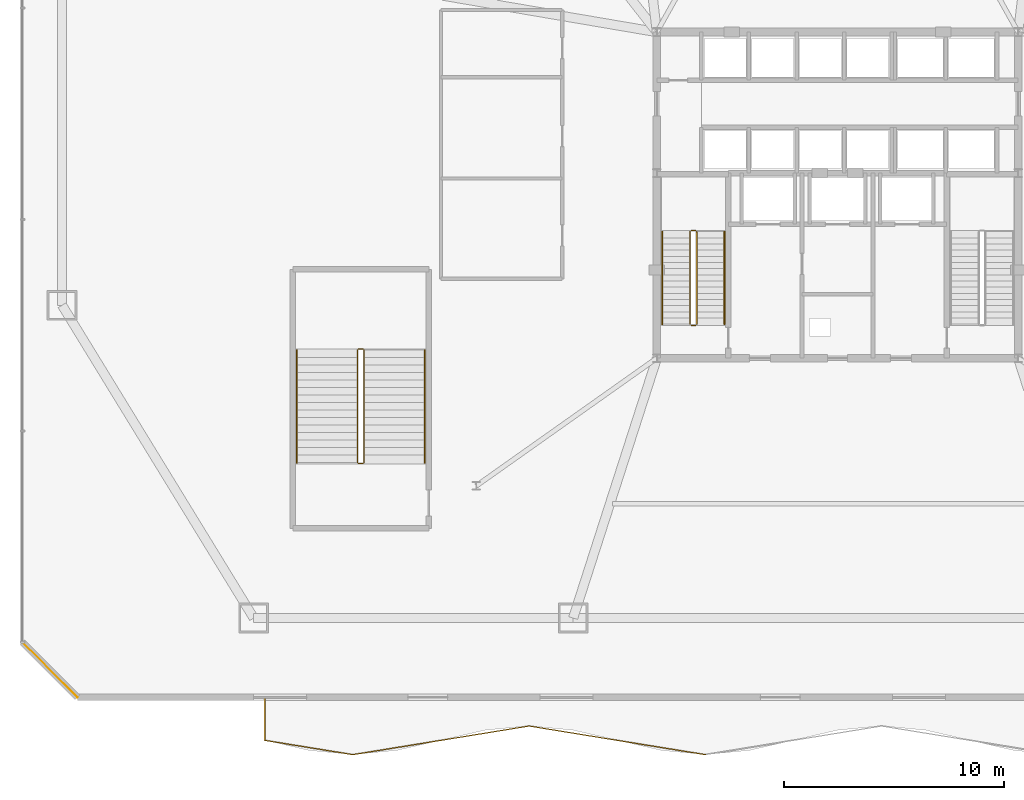
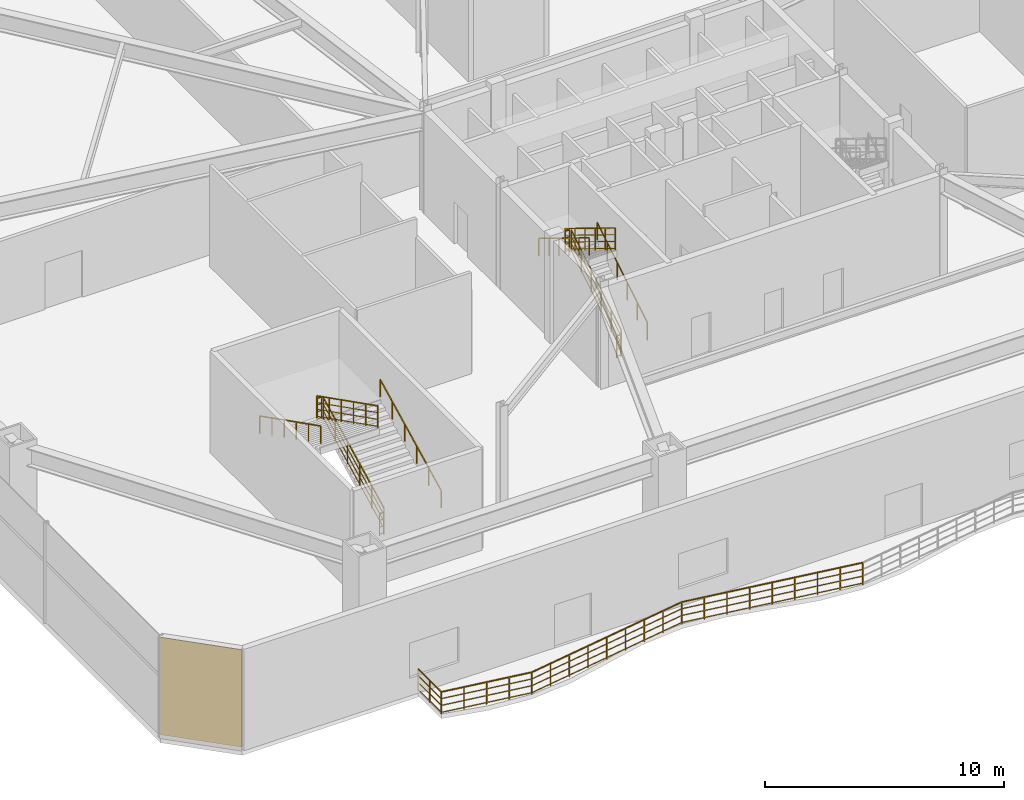
# One storey, part 16 of 20: 18 railings, 1 covering.
"""IFC4 building model written with IfcOpenShell, lengths in metres."""

from ifc_helpers import new_model, si_unit, direction, frame, frame_2d, origin, origin_2d, place, context, subcontext, project, spatial, rectangle, extrude, material, layer, layer_set, type_object, element, save


model = new_model("IFC4")

# Units and contexts
model_context = context("Model", 3, precision=1e-05, world=origin(), true_north=direction((0.0, 1.0)))
body_context = subcontext(model_context, "Body", "Model", "MODEL_VIEW")
ifc_project = project(units=[si_unit("LENGTHUNIT", "METRE"), si_unit("AREAUNIT", "SQUARE_METRE"), si_unit("VOLUMEUNIT", "CUBIC_METRE"), si_unit("PLANEANGLEUNIT", "RADIAN"), si_unit("MASSUNIT", "GRAM", prefix="KILO")], contexts=[model_context])

# Site, building, storey
site_placement = place(None, origin())
site = spatial("IfcSite", under=ifc_project, at=site_placement, CompositionType="ELEMENT")
building_placement = place(site_placement, origin())
building = spatial("IfcBuilding", under=site, at=building_placement, Name="Varakhsha Concourse Tower", CompositionType="ELEMENT")
storey_placement = place(building_placement, frame((0.0, 0.0, 11.0)))
storey = spatial("IfcBuildingStorey", under=building, at=storey_placement, Name="L03", CompositionType="ELEMENT", Elevation=11.0)

# Covering
ifc_material_1 = material(Name="Samarkand Glazed Terracotta Rainscreen Tile 32 mm", Category="masonry")
ifc_layer = layer(ifc_material_1, 0.031982421875, Name="COV-RAINSCREEN-32")
ifc_layer_set = layer_set([ifc_layer], Name="Samarkand Glazed Terracotta Rainscreen Tile 32 mm")
covering_type = type_object("IfcCoveringType", Name="COV-RAINSCREEN-32", PredefinedType="CLADDING", material=ifc_layer_set)
covering_placement = place(storey_placement, frame((3.0, 3.5, 0.10009765625), z_axis=(0.0, 0.0, 1.0), x_axis=(0.707106781187, -0.707106781187, 0.0)))
element("IfcCovering", 1, at=covering_placement, inside=storey, type_object=covering_type, Name="L03 Terracotta Rainscreen Cladding 7", PredefinedType="CLADDING", context=body_context, shape_type="SweptSolid", body=[
    extrude(rectangle(XDim=3.53564453125, YDim=0.031982421875, at=frame_2d((1.767822265625, 0.0))), origin(), (0.0, 0.0, 1.0), 4.97998046875),
])

# Railings
ifc_material_2 = material(Name="Laminated Structural Low-Iron Glass 52 mm", Category="glass")
railing_type_1 = type_object("IfcRailingType", Name="RL-BALUSTRADE-1150", PredefinedType="BALUSTRADE", material=ifc_material_2)
railing_1_placement = place(storey_placement, frame((14.0, 1.0, 0.0)))
element("IfcRailing", 2, at=railing_1_placement, inside=storey, type_object=railing_type_1, Name="L03 Perimeter Safety Balustrade RL-WAVE-L03-01", PredefinedType="BALUSTRADE", context=body_context, shape_type="SweptSolid", body=[
    extrude(rectangle(XDim=0.048095703125, YDim=0.048095703125, at=origin_2d()), frame((0.0, 0.0, 1.1259765625), z_axis=(0.0, -1.0, 0.0), x_axis=(1.0, 0.0, 0.0)), (0.0, 0.0, 1.0), 1.949951171875),
    extrude(rectangle(XDim=0.028076171875, YDim=0.028076171875, at=origin_2d()), frame((0.0, 0.0, 0.080078125), z_axis=(0.0, -1.0, 0.0), x_axis=(1.0, 0.0, 0.0)), (0.0, 0.0, 1.0), 1.949951171875),
    extrude(rectangle(XDim=0.028076171875, YDim=0.028076171875, at=origin_2d()), frame((0.0, 0.0, 0.43701171875), z_axis=(0.0, -1.0, 0.0), x_axis=(1.0, 0.0, 0.0)), (0.0, 0.0, 1.0), 1.949951171875),
    extrude(rectangle(XDim=0.028076171875, YDim=0.028076171875, at=origin_2d()), frame((0.0, 0.0, 0.781982421875), z_axis=(0.0, -1.0, 0.0), x_axis=(1.0, 0.0, 0.0)), (0.0, 0.0, 1.0), 1.949951171875),
    extrude(rectangle(XDim=0.0419921875, YDim=0.0419921875, at=origin_2d()), origin(), (0.0, 0.0, 1.0), 1.101806640625),
    extrude(rectangle(XDim=0.0419921875, YDim=0.0419921875, at=origin_2d()), frame((0.0, -0.97509765625, 0.0)), (0.0, 0.0, 1.0), 1.101806640625),
    extrude(rectangle(XDim=0.0419921875, YDim=0.0419921875, at=origin_2d()), frame((0.0, -1.949951171875, 0.0)), (0.0, 0.0, 1.0), 1.101806640625),
])
railing_2_placement = place(storey_placement, frame((14.0, -0.949951171875, 0.0)))
element("IfcRailing", 3, at=railing_2_placement, inside=storey, type_object=railing_type_1, Name="L03 Perimeter Safety Balustrade RL-WAVE-L03-02", PredefinedType="BALUSTRADE", context=body_context, shape_type="SweptSolid", body=[
    extrude(rectangle(XDim=0.048095703125, YDim=0.048095703125, at=origin_2d()), frame((0.0, 0.0, 1.1259765625), z_axis=(0.987047011266, -0.160431286072, 0.0), x_axis=(0.160431286072, 0.987047011266, 0.0)), (0.0, 0.0, 1.0), 4.052490234375),
    extrude(rectangle(XDim=0.028076171875, YDim=0.028076171875, at=origin_2d()), frame((0.0, 0.0, 0.080078125), z_axis=(0.987047011266, -0.160431286072, 0.0), x_axis=(0.160431286072, 0.987047011266, 0.0)), (0.0, 0.0, 1.0), 4.052490234375),
    extrude(rectangle(XDim=0.028076171875, YDim=0.028076171875, at=origin_2d()), frame((0.0, 0.0, 0.43701171875), z_axis=(0.987047011266, -0.160431286072, 0.0), x_axis=(0.160431286072, 0.987047011266, 0.0)), (0.0, 0.0, 1.0), 4.052490234375),
    extrude(rectangle(XDim=0.028076171875, YDim=0.028076171875, at=origin_2d()), frame((0.0, 0.0, 0.781982421875), z_axis=(0.987047011266, -0.160431286072, 0.0), x_axis=(0.160431286072, 0.987047011266, 0.0)), (0.0, 0.0, 1.0), 4.052490234375),
    extrude(rectangle(XDim=0.0419921875, YDim=0.0419921875, at=origin_2d()), origin(), (0.0, 0.0, 1.0), 1.101806640625),
    extrude(rectangle(XDim=0.0419921875, YDim=0.0419921875, at=origin_2d()), frame((1.0, -0.16259765625, 0.0)), (0.0, 0.0, 1.0), 1.101806640625),
    extrude(rectangle(XDim=0.0419921875, YDim=0.0419921875, at=origin_2d()), frame((2.0, -0.3251953125, 0.0)), (0.0, 0.0, 1.0), 1.101806640625),
    extrude(rectangle(XDim=0.0419921875, YDim=0.0419921875, at=origin_2d()), frame((3.0, -0.487548828125, 0.0)), (0.0, 0.0, 1.0), 1.101806640625),
    extrude(rectangle(XDim=0.0419921875, YDim=0.0419921875, at=origin_2d()), frame((4.0, -0.650146484375, 0.0)), (0.0, 0.0, 1.0), 1.101806640625),
])
railing_3_placement = place(storey_placement, frame((18.0, -1.60009765625, 0.0)))
element("IfcRailing", 4, at=railing_3_placement, inside=storey, type_object=railing_type_1, Name="L03 Perimeter Safety Balustrade RL-WAVE-L03-03", PredefinedType="BALUSTRADE", context=body_context, shape_type="SweptSolid", body=[
    extrude(rectangle(XDim=0.048095703125, YDim=0.048095703125, at=origin_2d()), frame((0.0, 0.0, 1.1259765625), z_axis=(0.987047011266, 0.160431286072, 0.0), x_axis=(-0.160431286072, 0.987047011266, 0.0)), (0.0, 0.0, 1.0), 4.052490234375),
    extrude(rectangle(XDim=0.028076171875, YDim=0.028076171875, at=origin_2d()), frame((0.0, 0.0, 0.080078125), z_axis=(0.987047011266, 0.160431286072, 0.0), x_axis=(-0.160431286072, 0.987047011266, 0.0)), (0.0, 0.0, 1.0), 4.052490234375),
    extrude(rectangle(XDim=0.028076171875, YDim=0.028076171875, at=origin_2d()), frame((0.0, 0.0, 0.43701171875), z_axis=(0.987047011266, 0.160431286072, 0.0), x_axis=(-0.160431286072, 0.987047011266, 0.0)), (0.0, 0.0, 1.0), 4.052490234375),
    extrude(rectangle(XDim=0.028076171875, YDim=0.028076171875, at=origin_2d()), frame((0.0, 0.0, 0.781982421875), z_axis=(0.987047011266, 0.160431286072, 0.0), x_axis=(-0.160431286072, 0.987047011266, 0.0)), (0.0, 0.0, 1.0), 4.052490234375),
    extrude(rectangle(XDim=0.0419921875, YDim=0.0419921875, at=origin_2d()), origin(), (0.0, 0.0, 1.0), 1.101806640625),
    extrude(rectangle(XDim=0.0419921875, YDim=0.0419921875, at=origin_2d()), frame((1.0, 0.16259765625, 0.0)), (0.0, 0.0, 1.0), 1.101806640625),
    extrude(rectangle(XDim=0.0419921875, YDim=0.0419921875, at=origin_2d()), frame((2.0, 0.3251953125, 0.0)), (0.0, 0.0, 1.0), 1.101806640625),
    extrude(rectangle(XDim=0.0419921875, YDim=0.0419921875, at=origin_2d()), frame((3.0, 0.487548828125, 0.0)), (0.0, 0.0, 1.0), 1.101806640625),
    extrude(rectangle(XDim=0.0419921875, YDim=0.0419921875, at=origin_2d()), frame((4.0, 0.650146484375, 0.0)), (0.0, 0.0, 1.0), 1.101806640625),
])
railing_4_placement = place(storey_placement, frame((22.0, -0.949951171875, 0.0)))
element("IfcRailing", 5, at=railing_4_placement, inside=storey, type_object=railing_type_1, Name="L03 Perimeter Safety Balustrade RL-WAVE-L03-04", PredefinedType="BALUSTRADE", context=body_context, shape_type="SweptSolid", body=[
    extrude(rectangle(XDim=0.048095703125, YDim=0.048095703125, at=origin_2d()), frame((0.0, 0.0, 1.1259765625), z_axis=(0.987056549535, 0.160372591239, 0.0), x_axis=(-0.160372591239, 0.987056549535, 0.0)), (0.0, 0.0, 1.0), 4.052490234375),
    extrude(rectangle(XDim=0.028076171875, YDim=0.028076171875, at=origin_2d()), frame((0.0, 0.0, 0.080078125), z_axis=(0.987056549535, 0.160372591239, 0.0), x_axis=(-0.160372591239, 0.987056549535, 0.0)), (0.0, 0.0, 1.0), 4.052490234375),
    extrude(rectangle(XDim=0.028076171875, YDim=0.028076171875, at=origin_2d()), frame((0.0, 0.0, 0.43701171875), z_axis=(0.987056549535, 0.160372591239, 0.0), x_axis=(-0.160372591239, 0.987056549535, 0.0)), (0.0, 0.0, 1.0), 4.052490234375),
    extrude(rectangle(XDim=0.028076171875, YDim=0.028076171875, at=origin_2d()), frame((0.0, 0.0, 0.781982421875), z_axis=(0.987056549535, 0.160372591239, 0.0), x_axis=(-0.160372591239, 0.987056549535, 0.0)), (0.0, 0.0, 1.0), 4.052490234375),
    extrude(rectangle(XDim=0.0419921875, YDim=0.0419921875, at=origin_2d()), origin(), (0.0, 0.0, 1.0), 1.101806640625),
    extrude(rectangle(XDim=0.0419921875, YDim=0.0419921875, at=origin_2d()), frame((1.0, 0.16259765625, 0.0)), (0.0, 0.0, 1.0), 1.101806640625),
    extrude(rectangle(XDim=0.0419921875, YDim=0.0419921875, at=origin_2d()), frame((2.0, 0.324951171875, 0.0)), (0.0, 0.0, 1.0), 1.101806640625),
    extrude(rectangle(XDim=0.0419921875, YDim=0.0419921875, at=origin_2d()), frame((3.0, 0.4873046875, 0.0)), (0.0, 0.0, 1.0), 1.101806640625),
    extrude(rectangle(XDim=0.0419921875, YDim=0.0419921875, at=origin_2d()), frame((4.0, 0.64990234375, 0.0)), (0.0, 0.0, 1.0), 1.101806640625),
])
railing_5_placement = place(storey_placement, frame((26.0, -0.300048828125, 0.0)))
element("IfcRailing", 6, at=railing_5_placement, inside=storey, type_object=railing_type_1, Name="L03 Perimeter Safety Balustrade RL-WAVE-L03-05", PredefinedType="BALUSTRADE", context=body_context, shape_type="SweptSolid", body=[
    extrude(rectangle(XDim=0.048095703125, YDim=0.048095703125, at=origin_2d()), frame((0.0, 0.0, 1.1259765625), z_axis=(0.987056549535, -0.160372591239, 0.0), x_axis=(0.160372591239, 0.987056549535, 0.0)), (0.0, 0.0, 1.0), 4.052490234375),
    extrude(rectangle(XDim=0.028076171875, YDim=0.028076171875, at=origin_2d()), frame((0.0, 0.0, 0.080078125), z_axis=(0.987056549535, -0.160372591239, 0.0), x_axis=(0.160372591239, 0.987056549535, 0.0)), (0.0, 0.0, 1.0), 4.052490234375),
    extrude(rectangle(XDim=0.028076171875, YDim=0.028076171875, at=origin_2d()), frame((0.0, 0.0, 0.43701171875), z_axis=(0.987056549535, -0.160372591239, 0.0), x_axis=(0.160372591239, 0.987056549535, 0.0)), (0.0, 0.0, 1.0), 4.052490234375),
    extrude(rectangle(XDim=0.028076171875, YDim=0.028076171875, at=origin_2d()), frame((0.0, 0.0, 0.781982421875), z_axis=(0.987056549535, -0.160372591239, 0.0), x_axis=(0.160372591239, 0.987056549535, 0.0)), (0.0, 0.0, 1.0), 4.052490234375),
    extrude(rectangle(XDim=0.0419921875, YDim=0.0419921875, at=origin_2d()), origin(), (0.0, 0.0, 1.0), 1.101806640625),
    extrude(rectangle(XDim=0.0419921875, YDim=0.0419921875, at=origin_2d()), frame((1.0, -0.16259765625, 0.0)), (0.0, 0.0, 1.0), 1.101806640625),
    extrude(rectangle(XDim=0.0419921875, YDim=0.0419921875, at=origin_2d()), frame((2.0, -0.324951171875, 0.0)), (0.0, 0.0, 1.0), 1.101806640625),
    extrude(rectangle(XDim=0.0419921875, YDim=0.0419921875, at=origin_2d()), frame((3.0, -0.4873046875, 0.0)), (0.0, 0.0, 1.0), 1.101806640625),
    extrude(rectangle(XDim=0.0419921875, YDim=0.0419921875, at=origin_2d()), frame((4.0, -0.64990234375, 0.0)), (0.0, 0.0, 1.0), 1.101806640625),
])
railing_6_placement = place(storey_placement, frame((30.0, -0.949951171875, 0.0)))
element("IfcRailing", 7, at=railing_6_placement, inside=storey, type_object=railing_type_1, Name="L03 Perimeter Safety Balustrade RL-WAVE-L03-06", PredefinedType="BALUSTRADE", context=body_context, shape_type="SweptSolid", body=[
    extrude(rectangle(XDim=0.048095703125, YDim=0.048095703125, at=origin_2d()), frame((0.0, 0.0, 1.1259765625), z_axis=(0.987047011266, -0.160431286072, 0.0), x_axis=(0.160431286072, 0.987047011266, 0.0)), (0.0, 0.0, 1.0), 4.052490234375),
    extrude(rectangle(XDim=0.028076171875, YDim=0.028076171875, at=origin_2d()), frame((0.0, 0.0, 0.080078125), z_axis=(0.987047011266, -0.160431286072, 0.0), x_axis=(0.160431286072, 0.987047011266, 0.0)), (0.0, 0.0, 1.0), 4.052490234375),
    extrude(rectangle(XDim=0.028076171875, YDim=0.028076171875, at=origin_2d()), frame((0.0, 0.0, 0.43701171875), z_axis=(0.987047011266, -0.160431286072, 0.0), x_axis=(0.160431286072, 0.987047011266, 0.0)), (0.0, 0.0, 1.0), 4.052490234375),
    extrude(rectangle(XDim=0.028076171875, YDim=0.028076171875, at=origin_2d()), frame((0.0, 0.0, 0.781982421875), z_axis=(0.987047011266, -0.160431286072, 0.0), x_axis=(0.160431286072, 0.987047011266, 0.0)), (0.0, 0.0, 1.0), 4.052490234375),
    extrude(rectangle(XDim=0.0419921875, YDim=0.0419921875, at=origin_2d()), origin(), (0.0, 0.0, 1.0), 1.101806640625),
    extrude(rectangle(XDim=0.0419921875, YDim=0.0419921875, at=origin_2d()), frame((1.0, -0.16259765625, 0.0)), (0.0, 0.0, 1.0), 1.101806640625),
    extrude(rectangle(XDim=0.0419921875, YDim=0.0419921875, at=origin_2d()), frame((2.0, -0.3251953125, 0.0)), (0.0, 0.0, 1.0), 1.101806640625),
    extrude(rectangle(XDim=0.0419921875, YDim=0.0419921875, at=origin_2d()), frame((3.0, -0.487548828125, 0.0)), (0.0, 0.0, 1.0), 1.101806640625),
    extrude(rectangle(XDim=0.0419921875, YDim=0.0419921875, at=origin_2d()), frame((4.0, -0.650146484375, 0.0)), (0.0, 0.0, 1.0), 1.101806640625),
])
ifc_material_3 = material(Name="Brushed Austenitic Stainless Steel AISI 316", Category="steel")
railing_type_2 = type_object("IfcRailingType", Name="RL-STAIR-GUARD-1100", PredefinedType="GUARDRAIL", material=ifc_material_3)
railing_7_placement = place(storey_placement, frame((33.610107421875, 17.93994140625, 0.171875)))
element("IfcRailing", 8, at=railing_7_placement, inside=storey, type_object=railing_type_2, Name="L03 ST1 stair guard 1", PredefinedType="GUARDRAIL", context=body_context, shape_type="SweptSolid", body=[
    extrude(rectangle(XDim=0.048095703125, YDim=0.048095703125, at=origin_2d()), frame((0.0, 0.0, 1.1259765625), z_axis=(0.0, 0.852242915053, 0.523146264196), x_axis=(-1.0, 0.0, 0.0)), (0.0, 0.0, 1.0), 4.92822265625),
    extrude(rectangle(XDim=0.028076171875, YDim=0.028076171875, at=origin_2d()), frame((0.0, 0.0, 0.080078125), z_axis=(0.0, 0.852242915053, 0.523146264196), x_axis=(-1.0, 0.0, 0.0)), (0.0, 0.0, 1.0), 4.92822265625),
    extrude(rectangle(XDim=0.028076171875, YDim=0.028076171875, at=origin_2d()), frame((0.0, 0.0, 0.43701171875), z_axis=(0.0, 0.852242915053, 0.523146264196), x_axis=(-1.0, 0.0, 0.0)), (0.0, 0.0, 1.0), 4.92822265625),
    extrude(rectangle(XDim=0.028076171875, YDim=0.028076171875, at=origin_2d()), frame((0.0, 0.0, 0.781982421875), z_axis=(0.0, 0.852242915053, 0.523146264196), x_axis=(-1.0, 0.0, 0.0)), (0.0, 0.0, 1.0), 4.92822265625),
    extrude(rectangle(XDim=0.0419921875, YDim=0.0419921875, at=origin_2d()), origin(), (0.0, 0.0, 1.0), 1.101806640625),
    extrude(rectangle(XDim=0.0419921875, YDim=0.0419921875, at=origin_2d()), frame((0.0, 0.840087890625, 0.515625)), (0.0, 0.0, 1.0), 1.101806640625),
    extrude(rectangle(XDim=0.0419921875, YDim=0.0419921875, at=origin_2d()), frame((0.0, 1.679931640625, 1.03125)), (0.0, 0.0, 1.0), 1.101806640625),
    extrude(rectangle(XDim=0.0419921875, YDim=0.0419921875, at=origin_2d()), frame((0.0, 2.52001953125, 1.546875)), (0.0, 0.0, 1.0), 1.101806640625),
    extrude(rectangle(XDim=0.0419921875, YDim=0.0419921875, at=origin_2d()), frame((0.0, 3.35986328125, 2.0625)), (0.0, 0.0, 1.0), 1.101806640625),
    extrude(rectangle(XDim=0.0419921875, YDim=0.0419921875, at=origin_2d()), frame((0.0, 4.199951171875, 2.578125)), (0.0, 0.0, 1.0), 1.101806640625),
])
railing_8_placement = place(storey_placement, frame((33.56005859375, 22.18994140625, 2.75)))
element("IfcRailing", 9, at=railing_8_placement, inside=storey, type_object=railing_type_2, Name="L03 ST1 stair guard 2", PredefinedType="GUARDRAIL", context=body_context, shape_type="SweptSolid", body=[
    extrude(rectangle(XDim=0.048095703125, YDim=0.048095703125, at=origin_2d()), frame((0.0, 0.0, 1.1259765625), z_axis=(-1.0, 0.0, 0.0), x_axis=(0.0, -1.0, 0.0)), (0.0, 0.0, 1.0), 0.199951171875),
    extrude(rectangle(XDim=0.028076171875, YDim=0.028076171875, at=origin_2d()), frame((0.0, 0.0, 0.080078125), z_axis=(-1.0, 0.0, 0.0), x_axis=(0.0, -1.0, 0.0)), (0.0, 0.0, 1.0), 0.199951171875),
    extrude(rectangle(XDim=0.028076171875, YDim=0.028076171875, at=origin_2d()), frame((0.0, 0.0, 0.43701171875), z_axis=(-1.0, 0.0, 0.0), x_axis=(0.0, -1.0, 0.0)), (0.0, 0.0, 1.0), 0.199951171875),
    extrude(rectangle(XDim=0.028076171875, YDim=0.028076171875, at=origin_2d()), frame((0.0, 0.0, 0.781982421875), z_axis=(-1.0, 0.0, 0.0), x_axis=(0.0, -1.0, 0.0)), (0.0, 0.0, 1.0), 0.199951171875),
    extrude(rectangle(XDim=0.0419921875, YDim=0.0419921875, at=origin_2d()), origin(), (0.0, 0.0, 1.0), 1.101806640625),
    extrude(rectangle(XDim=0.0419921875, YDim=0.0419921875, at=origin_2d()), frame((-0.199951171875, 0.0, 0.0)), (0.0, 0.0, 1.0), 1.101806640625),
])
railing_9_placement = place(storey_placement, frame((33.31005859375, 22.139892578125, 2.921875)))
element("IfcRailing", 10, at=railing_9_placement, inside=storey, type_object=railing_type_2, Name="L03 ST1 stair guard 3", PredefinedType="GUARDRAIL", context=body_context, shape_type="SweptSolid", body=[
    extrude(rectangle(XDim=0.048095703125, YDim=0.048095703125, at=origin_2d()), frame((0.0, 0.0, 1.1259765625), z_axis=(0.0, -0.852242915053, 0.523146264196), x_axis=(1.0, 0.0, 0.0)), (0.0, 0.0, 1.0), 4.92822265625),
    extrude(rectangle(XDim=0.028076171875, YDim=0.028076171875, at=origin_2d()), frame((0.0, 0.0, 0.080078125), z_axis=(0.0, -0.852242915053, 0.523146264196), x_axis=(1.0, 0.0, 0.0)), (0.0, 0.0, 1.0), 4.92822265625),
    extrude(rectangle(XDim=0.028076171875, YDim=0.028076171875, at=origin_2d()), frame((0.0, 0.0, 0.43701171875), z_axis=(0.0, -0.852242915053, 0.523146264196), x_axis=(1.0, 0.0, 0.0)), (0.0, 0.0, 1.0), 4.92822265625),
    extrude(rectangle(XDim=0.028076171875, YDim=0.028076171875, at=origin_2d()), frame((0.0, 0.0, 0.781982421875), z_axis=(0.0, -0.852242915053, 0.523146264196), x_axis=(1.0, 0.0, 0.0)), (0.0, 0.0, 1.0), 4.92822265625),
    extrude(rectangle(XDim=0.0419921875, YDim=0.0419921875, at=origin_2d()), origin(), (0.0, 0.0, 1.0), 1.101806640625),
    extrude(rectangle(XDim=0.0419921875, YDim=0.0419921875, at=origin_2d()), frame((0.0, -0.840087890625, 0.515625)), (0.0, 0.0, 1.0), 1.101806640625),
    extrude(rectangle(XDim=0.0419921875, YDim=0.0419921875, at=origin_2d()), frame((0.0, -1.679931640625, 1.03125)), (0.0, 0.0, 1.0), 1.101806640625),
    extrude(rectangle(XDim=0.0419921875, YDim=0.0419921875, at=origin_2d()), frame((0.0, -2.52001953125, 1.546875)), (0.0, 0.0, 1.0), 1.101806640625),
    extrude(rectangle(XDim=0.0419921875, YDim=0.0419921875, at=origin_2d()), frame((0.0, -3.35986328125, 2.0625)), (0.0, 0.0, 1.0), 1.101806640625),
    extrude(rectangle(XDim=0.0419921875, YDim=0.0419921875, at=origin_2d()), frame((0.0, -4.199951171875, 2.578125)), (0.0, 0.0, 1.0), 1.101806640625),
])
railing_10_placement = place(storey_placement, frame((33.56005859375, 17.889892578125, 0.0)))
element("IfcRailing", 11, at=railing_10_placement, inside=storey, type_object=railing_type_2, Name="L03 ST1 stair guard 4", PredefinedType="GUARDRAIL", context=body_context, shape_type="SweptSolid", body=[
    extrude(rectangle(XDim=0.048095703125, YDim=0.048095703125, at=origin_2d()), frame((0.0, 0.0, 1.1259765625), z_axis=(-1.0, 0.0, 0.0), x_axis=(0.0, -1.0, 0.0)), (0.0, 0.0, 1.0), 0.199951171875),
    extrude(rectangle(XDim=0.028076171875, YDim=0.028076171875, at=origin_2d()), frame((0.0, 0.0, 0.080078125), z_axis=(-1.0, 0.0, 0.0), x_axis=(0.0, -1.0, 0.0)), (0.0, 0.0, 1.0), 0.199951171875),
    extrude(rectangle(XDim=0.028076171875, YDim=0.028076171875, at=origin_2d()), frame((0.0, 0.0, 0.43701171875), z_axis=(-1.0, 0.0, 0.0), x_axis=(0.0, -1.0, 0.0)), (0.0, 0.0, 1.0), 0.199951171875),
    extrude(rectangle(XDim=0.028076171875, YDim=0.028076171875, at=origin_2d()), frame((0.0, 0.0, 0.781982421875), z_axis=(-1.0, 0.0, 0.0), x_axis=(0.0, -1.0, 0.0)), (0.0, 0.0, 1.0), 0.199951171875),
    extrude(rectangle(XDim=0.0419921875, YDim=0.0419921875, at=origin_2d()), origin(), (0.0, 0.0, 1.0), 1.101806640625),
    extrude(rectangle(XDim=0.0419921875, YDim=0.0419921875, at=origin_2d()), frame((-0.199951171875, 0.0, 0.0)), (0.0, 0.0, 1.0), 1.101806640625),
])
railing_11_placement = place(storey_placement, frame((18.510009765625, 11.659912109375, 0.171875)))
element("IfcRailing", 12, at=railing_11_placement, inside=storey, type_object=railing_type_2, Name="L03 ST3 stair guard 1", PredefinedType="GUARDRAIL", context=body_context, shape_type="SweptSolid", body=[
    extrude(rectangle(XDim=0.048095703125, YDim=0.048095703125, at=origin_2d()), frame((0.0, 0.0, 1.1259765625), z_axis=(0.0, 0.892453363607, 0.451139661067), x_axis=(-1.0, 0.0, 0.0)), (0.0, 0.0, 1.0), 5.714599609375),
    extrude(rectangle(XDim=0.028076171875, YDim=0.028076171875, at=origin_2d()), frame((0.0, 0.0, 0.080078125), z_axis=(0.0, 0.892453363607, 0.451139661067), x_axis=(-1.0, 0.0, 0.0)), (0.0, 0.0, 1.0), 5.714599609375),
    extrude(rectangle(XDim=0.028076171875, YDim=0.028076171875, at=origin_2d()), frame((0.0, 0.0, 0.43701171875), z_axis=(0.0, 0.892453363607, 0.451139661067), x_axis=(-1.0, 0.0, 0.0)), (0.0, 0.0, 1.0), 5.714599609375),
    extrude(rectangle(XDim=0.028076171875, YDim=0.028076171875, at=origin_2d()), frame((0.0, 0.0, 0.781982421875), z_axis=(0.0, 0.892453363607, 0.451139661067), x_axis=(-1.0, 0.0, 0.0)), (0.0, 0.0, 1.0), 5.714599609375),
    extrude(rectangle(XDim=0.0419921875, YDim=0.0419921875, at=origin_2d()), origin(), (0.0, 0.0, 1.0), 1.101806640625),
    extrude(rectangle(XDim=0.0419921875, YDim=0.0419921875, at=origin_2d()), frame((0.0, 1.02001953125, 0.515625)), (0.0, 0.0, 1.0), 1.101806640625),
    extrude(rectangle(XDim=0.0419921875, YDim=0.0419921875, at=origin_2d()), frame((0.0, 2.0400390625, 1.03125)), (0.0, 0.0, 1.0), 1.101806640625),
    extrude(rectangle(XDim=0.0419921875, YDim=0.0419921875, at=origin_2d()), frame((0.0, 3.06005859375, 1.546875)), (0.0, 0.0, 1.0), 1.101806640625),
    extrude(rectangle(XDim=0.0419921875, YDim=0.0419921875, at=origin_2d()), frame((0.0, 4.080078125, 2.0625)), (0.0, 0.0, 1.0), 1.101806640625),
    extrude(rectangle(XDim=0.0419921875, YDim=0.0419921875, at=origin_2d()), frame((0.0, 5.10009765625, 2.578125)), (0.0, 0.0, 1.0), 1.101806640625),
])
railing_12_placement = place(storey_placement, frame((18.4599609375, 16.81005859375, 2.75)))
element("IfcRailing", 13, at=railing_12_placement, inside=storey, type_object=railing_type_2, Name="L03 ST3 stair guard 2", PredefinedType="GUARDRAIL", context=body_context, shape_type="SweptSolid", body=[
    extrude(rectangle(XDim=0.048095703125, YDim=0.048095703125, at=origin_2d()), frame((0.0, 0.0, 1.1259765625), z_axis=(-1.0, 0.0, 0.0), x_axis=(0.0, -1.0, 0.0)), (0.0, 0.0, 1.0), 0.199951171875),
    extrude(rectangle(XDim=0.028076171875, YDim=0.028076171875, at=origin_2d()), frame((0.0, 0.0, 0.080078125), z_axis=(-1.0, 0.0, 0.0), x_axis=(0.0, -1.0, 0.0)), (0.0, 0.0, 1.0), 0.199951171875),
    extrude(rectangle(XDim=0.028076171875, YDim=0.028076171875, at=origin_2d()), frame((0.0, 0.0, 0.43701171875), z_axis=(-1.0, 0.0, 0.0), x_axis=(0.0, -1.0, 0.0)), (0.0, 0.0, 1.0), 0.199951171875),
    extrude(rectangle(XDim=0.028076171875, YDim=0.028076171875, at=origin_2d()), frame((0.0, 0.0, 0.781982421875), z_axis=(-1.0, 0.0, 0.0), x_axis=(0.0, -1.0, 0.0)), (0.0, 0.0, 1.0), 0.199951171875),
    extrude(rectangle(XDim=0.0419921875, YDim=0.0419921875, at=origin_2d()), origin(), (0.0, 0.0, 1.0), 1.101806640625),
    extrude(rectangle(XDim=0.0419921875, YDim=0.0419921875, at=origin_2d()), frame((-0.199951171875, 0.0, 0.0)), (0.0, 0.0, 1.0), 1.101806640625),
])
railing_13_placement = place(storey_placement, frame((18.2099609375, 16.760009765625, 2.921875)))
element("IfcRailing", 14, at=railing_13_placement, inside=storey, type_object=railing_type_2, Name="L03 ST3 stair guard 3", PredefinedType="GUARDRAIL", context=body_context, shape_type="SweptSolid", body=[
    extrude(rectangle(XDim=0.048095703125, YDim=0.048095703125, at=origin_2d()), frame((0.0, 0.0, 1.1259765625), z_axis=(0.0, -0.892453363607, 0.451139661067), x_axis=(1.0, 0.0, 0.0)), (0.0, 0.0, 1.0), 5.714599609375),
    extrude(rectangle(XDim=0.028076171875, YDim=0.028076171875, at=origin_2d()), frame((0.0, 0.0, 0.080078125), z_axis=(0.0, -0.892453363607, 0.451139661067), x_axis=(1.0, 0.0, 0.0)), (0.0, 0.0, 1.0), 5.714599609375),
    extrude(rectangle(XDim=0.028076171875, YDim=0.028076171875, at=origin_2d()), frame((0.0, 0.0, 0.43701171875), z_axis=(0.0, -0.892453363607, 0.451139661067), x_axis=(1.0, 0.0, 0.0)), (0.0, 0.0, 1.0), 5.714599609375),
    extrude(rectangle(XDim=0.028076171875, YDim=0.028076171875, at=origin_2d()), frame((0.0, 0.0, 0.781982421875), z_axis=(0.0, -0.892453363607, 0.451139661067), x_axis=(1.0, 0.0, 0.0)), (0.0, 0.0, 1.0), 5.714599609375),
    extrude(rectangle(XDim=0.0419921875, YDim=0.0419921875, at=origin_2d()), origin(), (0.0, 0.0, 1.0), 1.101806640625),
    extrude(rectangle(XDim=0.0419921875, YDim=0.0419921875, at=origin_2d()), frame((0.0, -1.02001953125, 0.515625)), (0.0, 0.0, 1.0), 1.101806640625),
    extrude(rectangle(XDim=0.0419921875, YDim=0.0419921875, at=origin_2d()), frame((0.0, -2.0400390625, 1.03125)), (0.0, 0.0, 1.0), 1.101806640625),
    extrude(rectangle(XDim=0.0419921875, YDim=0.0419921875, at=origin_2d()), frame((0.0, -3.06005859375, 1.546875)), (0.0, 0.0, 1.0), 1.101806640625),
    extrude(rectangle(XDim=0.0419921875, YDim=0.0419921875, at=origin_2d()), frame((0.0, -4.080078125, 2.0625)), (0.0, 0.0, 1.0), 1.101806640625),
    extrude(rectangle(XDim=0.0419921875, YDim=0.0419921875, at=origin_2d()), frame((0.0, -5.10009765625, 2.578125)), (0.0, 0.0, 1.0), 1.101806640625),
])
railing_14_placement = place(storey_placement, frame((18.4599609375, 11.610107421875, 0.0)))
element("IfcRailing", 15, at=railing_14_placement, inside=storey, type_object=railing_type_2, Name="L03 ST3 stair guard 4", PredefinedType="GUARDRAIL", context=body_context, shape_type="SweptSolid", body=[
    extrude(rectangle(XDim=0.048095703125, YDim=0.048095703125, at=origin_2d()), frame((0.0, 0.0, 1.1259765625), z_axis=(-1.0, 0.0, 0.0), x_axis=(0.0, -1.0, 0.0)), (0.0, 0.0, 1.0), 0.199951171875),
    extrude(rectangle(XDim=0.028076171875, YDim=0.028076171875, at=origin_2d()), frame((0.0, 0.0, 0.080078125), z_axis=(-1.0, 0.0, 0.0), x_axis=(0.0, -1.0, 0.0)), (0.0, 0.0, 1.0), 0.199951171875),
    extrude(rectangle(XDim=0.028076171875, YDim=0.028076171875, at=origin_2d()), frame((0.0, 0.0, 0.43701171875), z_axis=(-1.0, 0.0, 0.0), x_axis=(0.0, -1.0, 0.0)), (0.0, 0.0, 1.0), 0.199951171875),
    extrude(rectangle(XDim=0.028076171875, YDim=0.028076171875, at=origin_2d()), frame((0.0, 0.0, 0.781982421875), z_axis=(-1.0, 0.0, 0.0), x_axis=(0.0, -1.0, 0.0)), (0.0, 0.0, 1.0), 0.199951171875),
    extrude(rectangle(XDim=0.0419921875, YDim=0.0419921875, at=origin_2d()), origin(), (0.0, 0.0, 1.0), 1.101806640625),
    extrude(rectangle(XDim=0.0419921875, YDim=0.0419921875, at=origin_2d()), frame((-0.199951171875, 0.0, 0.0)), (0.0, 0.0, 1.0), 1.101806640625),
])
railing_type_3 = type_object("IfcRailingType", Name="RL-STAIR-RAIL-915", PredefinedType="HANDRAIL", material=ifc_material_3)
railing_15_placement = place(storey_placement, frame((34.8701171875, 17.93994140625, 0.34375)))
element("IfcRailing", 16, at=railing_15_placement, inside=storey, type_object=railing_type_3, Name="L03 ST1 stair handrail 1", PredefinedType="HANDRAIL", context=body_context, shape_type="SweptSolid", body=[
    extrude(rectangle(XDim=0.048095703125, YDim=0.048095703125, at=origin_2d()), frame((0.0, 0.0, 0.89111328125), z_axis=(0.0, 0.852242915053, 0.523146264196), x_axis=(-1.0, 0.0, 0.0)), (0.0, 0.0, 1.0), 4.92822265625),
    extrude(rectangle(XDim=0.0419921875, YDim=0.0419921875, at=origin_2d()), origin(), (0.0, 0.0, 1.0), 0.866943359375),
    extrude(rectangle(XDim=0.0419921875, YDim=0.0419921875, at=origin_2d()), frame((0.0, 0.840087890625, 0.515625)), (0.0, 0.0, 1.0), 0.866943359375),
    extrude(rectangle(XDim=0.0419921875, YDim=0.0419921875, at=origin_2d()), frame((0.0, 1.679931640625, 1.03125)), (0.0, 0.0, 1.0), 0.866943359375),
    extrude(rectangle(XDim=0.0419921875, YDim=0.0419921875, at=origin_2d()), frame((0.0, 2.52001953125, 1.546875)), (0.0, 0.0, 1.0), 0.866943359375),
    extrude(rectangle(XDim=0.0419921875, YDim=0.0419921875, at=origin_2d()), frame((0.0, 3.35986328125, 2.0625)), (0.0, 0.0, 1.0), 0.866943359375),
    extrude(rectangle(XDim=0.0419921875, YDim=0.0419921875, at=origin_2d()), frame((0.0, 4.199951171875, 2.578125)), (0.0, 0.0, 1.0), 0.866943359375),
])
railing_16_placement = place(storey_placement, frame((32.050048828125, 22.139892578125, 3.09375)))
element("IfcRailing", 17, at=railing_16_placement, inside=storey, type_object=railing_type_3, Name="L03 ST1 stair handrail 2", PredefinedType="HANDRAIL", context=body_context, shape_type="SweptSolid", body=[
    extrude(rectangle(XDim=0.048095703125, YDim=0.048095703125, at=origin_2d()), frame((0.0, 0.0, 0.89111328125), z_axis=(0.0, -0.852242915053, 0.523146264196), x_axis=(1.0, 0.0, 0.0)), (0.0, 0.0, 1.0), 4.92822265625),
    extrude(rectangle(XDim=0.0419921875, YDim=0.0419921875, at=origin_2d()), origin(), (0.0, 0.0, 1.0), 0.866943359375),
    extrude(rectangle(XDim=0.0419921875, YDim=0.0419921875, at=origin_2d()), frame((0.0, -0.840087890625, 0.515625)), (0.0, 0.0, 1.0), 0.866943359375),
    extrude(rectangle(XDim=0.0419921875, YDim=0.0419921875, at=origin_2d()), frame((0.0, -1.679931640625, 1.03125)), (0.0, 0.0, 1.0), 0.866943359375),
    extrude(rectangle(XDim=0.0419921875, YDim=0.0419921875, at=origin_2d()), frame((0.0, -2.52001953125, 1.546875)), (0.0, 0.0, 1.0), 0.866943359375),
    extrude(rectangle(XDim=0.0419921875, YDim=0.0419921875, at=origin_2d()), frame((0.0, -3.35986328125, 2.0625)), (0.0, 0.0, 1.0), 0.866943359375),
    extrude(rectangle(XDim=0.0419921875, YDim=0.0419921875, at=origin_2d()), frame((0.0, -4.199951171875, 2.578125)), (0.0, 0.0, 1.0), 0.866943359375),
])
railing_17_placement = place(storey_placement, frame((21.27001953125, 11.659912109375, 0.34375)))
element("IfcRailing", 18, at=railing_17_placement, inside=storey, type_object=railing_type_3, Name="L03 ST3 stair handrail 1", PredefinedType="HANDRAIL", context=body_context, shape_type="SweptSolid", body=[
    extrude(rectangle(XDim=0.048095703125, YDim=0.048095703125, at=origin_2d()), frame((0.0, 0.0, 0.89111328125), z_axis=(0.0, 0.892453363607, 0.451139661067), x_axis=(-1.0, 0.0, 0.0)), (0.0, 0.0, 1.0), 5.714599609375),
    extrude(rectangle(XDim=0.0419921875, YDim=0.0419921875, at=origin_2d()), origin(), (0.0, 0.0, 1.0), 0.866943359375),
    extrude(rectangle(XDim=0.0419921875, YDim=0.0419921875, at=origin_2d()), frame((0.0, 1.02001953125, 0.515625)), (0.0, 0.0, 1.0), 0.866943359375),
    extrude(rectangle(XDim=0.0419921875, YDim=0.0419921875, at=origin_2d()), frame((0.0, 2.0400390625, 1.03125)), (0.0, 0.0, 1.0), 0.866943359375),
    extrude(rectangle(XDim=0.0419921875, YDim=0.0419921875, at=origin_2d()), frame((0.0, 3.06005859375, 1.546875)), (0.0, 0.0, 1.0), 0.866943359375),
    extrude(rectangle(XDim=0.0419921875, YDim=0.0419921875, at=origin_2d()), frame((0.0, 4.080078125, 2.0625)), (0.0, 0.0, 1.0), 0.866943359375),
    extrude(rectangle(XDim=0.0419921875, YDim=0.0419921875, at=origin_2d()), frame((0.0, 5.10009765625, 2.578125)), (0.0, 0.0, 1.0), 0.866943359375),
])
railing_18_placement = place(storey_placement, frame((15.449951171875, 16.760009765625, 3.09375)))
element("IfcRailing", 19, at=railing_18_placement, inside=storey, type_object=railing_type_3, Name="L03 ST3 stair handrail 2", PredefinedType="HANDRAIL", context=body_context, shape_type="SweptSolid", body=[
    extrude(rectangle(XDim=0.048095703125, YDim=0.048095703125, at=origin_2d()), frame((0.0, 0.0, 0.89111328125), z_axis=(0.0, -0.892453363607, 0.451139661067), x_axis=(1.0, 0.0, 0.0)), (0.0, 0.0, 1.0), 5.714599609375),
    extrude(rectangle(XDim=0.0419921875, YDim=0.0419921875, at=origin_2d()), origin(), (0.0, 0.0, 1.0), 0.866943359375),
    extrude(rectangle(XDim=0.0419921875, YDim=0.0419921875, at=origin_2d()), frame((0.0, -1.02001953125, 0.515625)), (0.0, 0.0, 1.0), 0.866943359375),
    extrude(rectangle(XDim=0.0419921875, YDim=0.0419921875, at=origin_2d()), frame((0.0, -2.0400390625, 1.03125)), (0.0, 0.0, 1.0), 0.866943359375),
    extrude(rectangle(XDim=0.0419921875, YDim=0.0419921875, at=origin_2d()), frame((0.0, -3.06005859375, 1.546875)), (0.0, 0.0, 1.0), 0.866943359375),
    extrude(rectangle(XDim=0.0419921875, YDim=0.0419921875, at=origin_2d()), frame((0.0, -4.080078125, 2.0625)), (0.0, 0.0, 1.0), 0.866943359375),
    extrude(rectangle(XDim=0.0419921875, YDim=0.0419921875, at=origin_2d()), frame((0.0, -5.10009765625, 2.578125)), (0.0, 0.0, 1.0), 0.866943359375),
])

save(model, "model.ifc")
